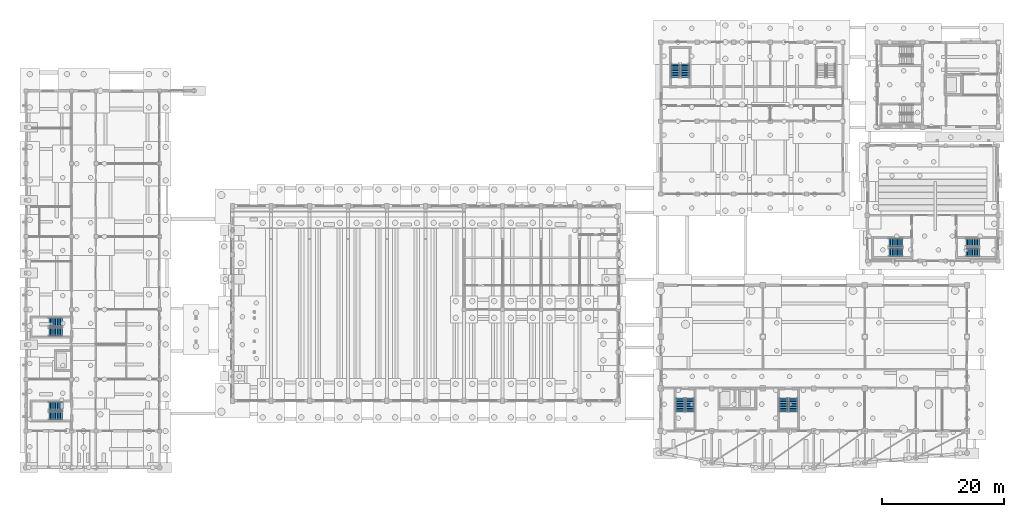
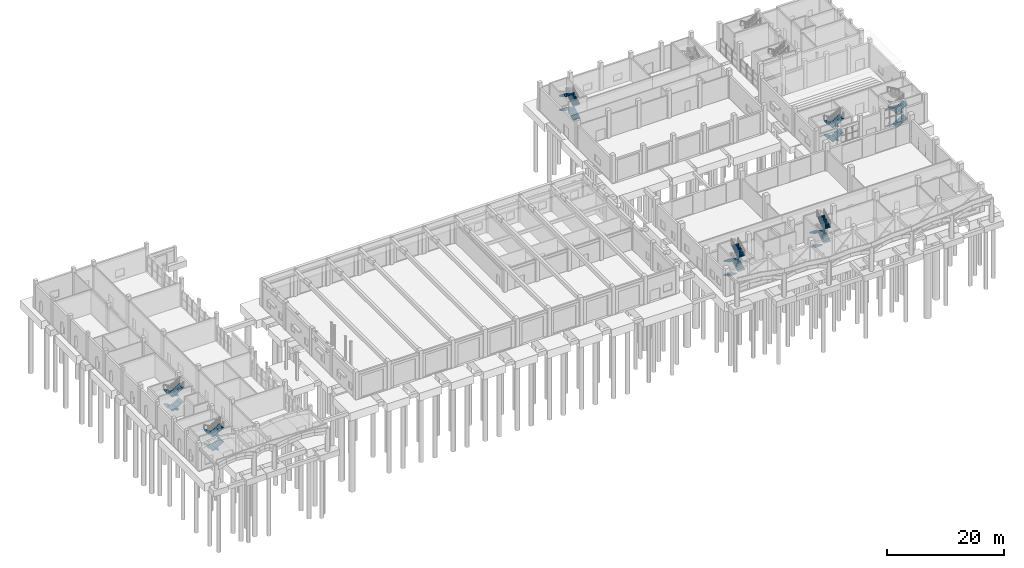
# One storey, part 45 of 60: 27 stair flights, 7 elements without a shape of their own.
"""IFC4 building model written with IfcOpenShell, lengths in metres."""

from ifc_helpers import new_model, si_unit, direction, frame, origin, place, context, subcontext, project, spatial, polyline, outline, extrude, material, type_object, element, aggregate, save


model = new_model("IFC4")

# Units and contexts
model_context = context("Model", 3, precision=1e-05, world=origin(), true_north=direction((0.0, 1.0)))
body_context = subcontext(model_context, "Body", "Model", "MODEL_VIEW")
ifc_project = project(units=[si_unit("LENGTHUNIT", "METRE"), si_unit("AREAUNIT", "SQUARE_METRE"), si_unit("VOLUMEUNIT", "CUBIC_METRE"), si_unit("PLANEANGLEUNIT", "RADIAN"), si_unit("MASSUNIT", "GRAM", prefix="KILO")], contexts=[model_context])

# Site, building, storey
site_placement = place(None, origin())
site = spatial("IfcSite", under=ifc_project, at=site_placement, CompositionType="ELEMENT")
building_placement = place(site_placement, origin())
building = spatial("IfcBuilding", under=site, at=building_placement, Name="Trellovar Central Fire Station", CompositionType="ELEMENT")
storey_placement = place(building_placement, origin())
storey = spatial("IfcBuildingStorey", under=building, at=storey_placement, Name="L01", CompositionType="ELEMENT", Elevation=0.0)

# Stair, stair flights
ifc_material_1 = material(Name="Concrete C40/50", Category="concrete")
stair_type = type_object("IfcStairType", Name="ST-R1625", PredefinedType="HALF_TURN_STAIR", material=ifc_material_1)
stair_1_placement = place(storey_placement, origin())
stair_1 = element("IfcStair", 1, at=stair_1_placement, inside=storey, type_object=stair_type, Name="L01 Protected exit stair ST-01", PredefinedType="HALF_TURN_STAIR")
ifc_material_2 = material(Name="Concrete C40/50", Category="concrete")
stair_flight_type = type_object("IfcStairFlightType", Name="STF-R1625", PredefinedType="STRAIGHT", material=ifc_material_2)
stair_flight_1_placement = place(storey_placement, frame((108.699951171875, 14.39990234375, 0.0), z_axis=(0.0, 0.0, 1.0), x_axis=(0.0, -1.0, 0.0)))
stair_flight_1 = element("IfcStairFlight", 2, at=stair_flight_1_placement, type_object=stair_flight_type, Name="ST-01 flight 1", NumberOfRisers=9, NumberOfTreads=8, PredefinedType="STRAIGHT", RiserHeight=0.1625, TreadLength=0.28, context=body_context, shape_type="SweptSolid", body=[
    extrude(outline(polyline([(0.0, 0.0), (0.0, 0.16259765625), (0.280029296875, 0.16259765625), (0.280029296875, 0.324951171875), (0.56005859375, 0.324951171875), (0.56005859375, 0.487548828125), (0.840087890625, 0.487548828125), (0.840087890625, 0.64990234375), (1.1201171875, 0.64990234375), (1.1201171875, 0.8125), (1.39990234375, 0.8125), (1.39990234375, 0.97509765625), (1.679931640625, 0.97509765625), (1.679931640625, 1.137451171875), (1.9599609375, 1.137451171875), (1.9599609375, 1.300048828125), (2.239990234375, 1.300048828125), (2.239990234375, 1.46240234375), (2.239990234375, 1.126708984375), (0.298583984375, 0.0), (0.0, 0.0)])), frame((0.0, 0.699951171875, 0.0), z_axis=(0.0, -1.0, 0.0), x_axis=(1.0, 0.0, 0.0)), (0.0, 0.0, 1.0), 1.39990234375),
])
stair_flight_2_placement = place(storey_placement, frame((110.300048828125, 12.159912109375, 1.46240234375), z_axis=(0.0, 0.0, 1.0), x_axis=(0.0, 1.0, 0.0)))
stair_flight_2 = element("IfcStairFlight", 3, at=stair_flight_2_placement, type_object=stair_flight_type, Name="ST-01 flight 2", NumberOfRisers=9, NumberOfTreads=8, PredefinedType="STRAIGHT", RiserHeight=0.1625, TreadLength=0.28, context=body_context, shape_type="SweptSolid", body=[
    extrude(outline(polyline([(0.0, 0.0), (0.0, 0.16259765625), (0.280029296875, 0.16259765625), (0.280029296875, 0.324951171875), (0.56005859375, 0.324951171875), (0.56005859375, 0.487548828125), (0.840087890625, 0.487548828125), (0.840087890625, 0.64990234375), (1.1201171875, 0.64990234375), (1.1201171875, 0.8125), (1.39990234375, 0.8125), (1.39990234375, 0.97509765625), (1.679931640625, 0.97509765625), (1.679931640625, 1.137451171875), (1.9599609375, 1.137451171875), (1.9599609375, 1.300048828125), (2.239990234375, 1.300048828125), (2.239990234375, 1.46240234375), (2.239990234375, 1.126708984375), (0.298583984375, 0.0), (0.0, 0.0)])), frame((0.0, 0.699951171875, 0.0), z_axis=(0.0, -1.0, 0.0), x_axis=(1.0, 0.0, 0.0)), (0.0, 0.0, 1.0), 1.39990234375),
])
stair_flight_3_placement = place(storey_placement, frame((108.699951171875, 14.39990234375, 2.925048828125), z_axis=(0.0, 0.0, 1.0), x_axis=(0.0, -1.0, 0.0)))
stair_flight_3 = element("IfcStairFlight", 4, at=stair_flight_3_placement, type_object=stair_flight_type, Name="ST-01 flight 3", NumberOfRisers=9, NumberOfTreads=8, PredefinedType="STRAIGHT", RiserHeight=0.1625, TreadLength=0.28, context=body_context, shape_type="SweptSolid", body=[
    extrude(outline(polyline([(0.0, 0.0), (0.0, 0.16259765625), (0.280029296875, 0.16259765625), (0.280029296875, 0.324951171875), (0.56005859375, 0.324951171875), (0.56005859375, 0.487548828125), (0.840087890625, 0.487548828125), (0.840087890625, 0.64990234375), (1.1201171875, 0.64990234375), (1.1201171875, 0.8125), (1.39990234375, 0.8125), (1.39990234375, 0.97509765625), (1.679931640625, 0.97509765625), (1.679931640625, 1.137451171875), (1.9599609375, 1.137451171875), (1.9599609375, 1.300048828125), (2.239990234375, 1.300048828125), (2.239990234375, 1.46240234375), (2.239990234375, 1.126708984375), (0.298583984375, 0.0), (0.0, 0.0)])), frame((0.0, 0.699951171875, 0.0), z_axis=(0.0, -1.0, 0.0), x_axis=(1.0, 0.0, 0.0)), (0.0, 0.0, 1.0), 1.39990234375),
])
stair_flight_4_placement = place(storey_placement, frame((110.300048828125, 12.159912109375, 4.387451171875), z_axis=(0.0, 0.0, 1.0), x_axis=(0.0, 1.0, 0.0)))
stair_flight_4 = element("IfcStairFlight", 5, at=stair_flight_4_placement, type_object=stair_flight_type, Name="ST-01 flight 4", NumberOfRisers=9, NumberOfTreads=8, PredefinedType="STRAIGHT", RiserHeight=0.1625, TreadLength=0.28, context=body_context, shape_type="SweptSolid", body=[
    extrude(outline(polyline([(0.0, 0.0), (0.0, 0.16259765625), (0.280029296875, 0.16259765625), (0.280029296875, 0.324951171875), (0.56005859375, 0.324951171875), (0.56005859375, 0.487548828125), (0.840087890625, 0.487548828125), (0.840087890625, 0.64990234375), (1.1201171875, 0.64990234375), (1.1201171875, 0.8125), (1.39990234375, 0.8125), (1.39990234375, 0.97509765625), (1.679931640625, 0.97509765625), (1.679931640625, 1.137451171875), (1.9599609375, 1.137451171875), (1.9599609375, 1.300048828125), (2.239990234375, 1.300048828125), (2.239990234375, 1.46240234375), (2.239990234375, 1.126708984375), (0.298583984375, 0.0), (0.0, 0.0)])), frame((0.0, 0.699951171875, 0.0), z_axis=(0.0, -1.0, 0.0), x_axis=(1.0, 0.0, 0.0)), (0.0, 0.0, 1.0), 1.39990234375),
])
aggregate(stair_1, [stair_flight_1, stair_flight_2, stair_flight_3, stair_flight_4])

stair_2_placement = place(storey_placement, origin())
stair_2 = element("IfcStair", 6, at=stair_2_placement, inside=storey, type_object=stair_type, Name="L01 Protected exit stair ST-02", PredefinedType="HALF_TURN_STAIR")
stair_flight_5_placement = place(storey_placement, frame((125.699951171875, 14.39990234375, 0.0), z_axis=(0.0, 0.0, 1.0), x_axis=(0.0, -1.0, 0.0)))
stair_flight_5 = element("IfcStairFlight", 7, at=stair_flight_5_placement, type_object=stair_flight_type, Name="ST-02 flight 1", NumberOfRisers=9, NumberOfTreads=8, PredefinedType="STRAIGHT", RiserHeight=0.1625, TreadLength=0.28, context=body_context, shape_type="SweptSolid", body=[
    extrude(outline(polyline([(0.0, 0.0), (0.0, 0.16259765625), (0.280029296875, 0.16259765625), (0.280029296875, 0.324951171875), (0.56005859375, 0.324951171875), (0.56005859375, 0.487548828125), (0.840087890625, 0.487548828125), (0.840087890625, 0.64990234375), (1.1201171875, 0.64990234375), (1.1201171875, 0.8125), (1.39990234375, 0.8125), (1.39990234375, 0.97509765625), (1.679931640625, 0.97509765625), (1.679931640625, 1.137451171875), (1.9599609375, 1.137451171875), (1.9599609375, 1.300048828125), (2.239990234375, 1.300048828125), (2.239990234375, 1.46240234375), (2.239990234375, 1.126708984375), (0.298583984375, 0.0), (0.0, 0.0)])), frame((0.0, 0.699951171875, 0.0), z_axis=(0.0, -1.0, 0.0), x_axis=(1.0, 0.0, 0.0)), (0.0, 0.0, 1.0), 1.39990234375),
])
stair_flight_6_placement = place(storey_placement, frame((127.300048828125, 12.159912109375, 1.46240234375), z_axis=(0.0, 0.0, 1.0), x_axis=(0.0, 1.0, 0.0)))
stair_flight_6 = element("IfcStairFlight", 8, at=stair_flight_6_placement, type_object=stair_flight_type, Name="ST-02 flight 2", NumberOfRisers=9, NumberOfTreads=8, PredefinedType="STRAIGHT", RiserHeight=0.1625, TreadLength=0.28, context=body_context, shape_type="SweptSolid", body=[
    extrude(outline(polyline([(0.0, 0.0), (0.0, 0.16259765625), (0.280029296875, 0.16259765625), (0.280029296875, 0.324951171875), (0.56005859375, 0.324951171875), (0.56005859375, 0.487548828125), (0.840087890625, 0.487548828125), (0.840087890625, 0.64990234375), (1.1201171875, 0.64990234375), (1.1201171875, 0.8125), (1.39990234375, 0.8125), (1.39990234375, 0.97509765625), (1.679931640625, 0.97509765625), (1.679931640625, 1.137451171875), (1.9599609375, 1.137451171875), (1.9599609375, 1.300048828125), (2.239990234375, 1.300048828125), (2.239990234375, 1.46240234375), (2.239990234375, 1.126708984375), (0.298583984375, 0.0), (0.0, 0.0)])), frame((0.0, 0.699951171875, 0.0), z_axis=(0.0, -1.0, 0.0), x_axis=(1.0, 0.0, 0.0)), (0.0, 0.0, 1.0), 1.39990234375),
])
stair_flight_7_placement = place(storey_placement, frame((125.699951171875, 14.39990234375, 2.925048828125), z_axis=(0.0, 0.0, 1.0), x_axis=(0.0, -1.0, 0.0)))
stair_flight_7 = element("IfcStairFlight", 9, at=stair_flight_7_placement, type_object=stair_flight_type, Name="ST-02 flight 3", NumberOfRisers=9, NumberOfTreads=8, PredefinedType="STRAIGHT", RiserHeight=0.1625, TreadLength=0.28, context=body_context, shape_type="SweptSolid", body=[
    extrude(outline(polyline([(0.0, 0.0), (0.0, 0.16259765625), (0.280029296875, 0.16259765625), (0.280029296875, 0.324951171875), (0.56005859375, 0.324951171875), (0.56005859375, 0.487548828125), (0.840087890625, 0.487548828125), (0.840087890625, 0.64990234375), (1.1201171875, 0.64990234375), (1.1201171875, 0.8125), (1.39990234375, 0.8125), (1.39990234375, 0.97509765625), (1.679931640625, 0.97509765625), (1.679931640625, 1.137451171875), (1.9599609375, 1.137451171875), (1.9599609375, 1.300048828125), (2.239990234375, 1.300048828125), (2.239990234375, 1.46240234375), (2.239990234375, 1.126708984375), (0.298583984375, 0.0), (0.0, 0.0)])), frame((0.0, 0.699951171875, 0.0), z_axis=(0.0, -1.0, 0.0), x_axis=(1.0, 0.0, 0.0)), (0.0, 0.0, 1.0), 1.39990234375),
])
stair_flight_8_placement = place(storey_placement, frame((127.300048828125, 12.159912109375, 4.387451171875), z_axis=(0.0, 0.0, 1.0), x_axis=(0.0, 1.0, 0.0)))
stair_flight_8 = element("IfcStairFlight", 10, at=stair_flight_8_placement, type_object=stair_flight_type, Name="ST-02 flight 4", NumberOfRisers=9, NumberOfTreads=8, PredefinedType="STRAIGHT", RiserHeight=0.1625, TreadLength=0.28, context=body_context, shape_type="SweptSolid", body=[
    extrude(outline(polyline([(0.0, 0.0), (0.0, 0.16259765625), (0.280029296875, 0.16259765625), (0.280029296875, 0.324951171875), (0.56005859375, 0.324951171875), (0.56005859375, 0.487548828125), (0.840087890625, 0.487548828125), (0.840087890625, 0.64990234375), (1.1201171875, 0.64990234375), (1.1201171875, 0.8125), (1.39990234375, 0.8125), (1.39990234375, 0.97509765625), (1.679931640625, 0.97509765625), (1.679931640625, 1.137451171875), (1.9599609375, 1.137451171875), (1.9599609375, 1.300048828125), (2.239990234375, 1.300048828125), (2.239990234375, 1.46240234375), (2.239990234375, 1.126708984375), (0.298583984375, 0.0), (0.0, 0.0)])), frame((0.0, 0.699951171875, 0.0), z_axis=(0.0, -1.0, 0.0), x_axis=(1.0, 0.0, 0.0)), (0.0, 0.0, 1.0), 1.39990234375),
])
aggregate(stair_2, [stair_flight_5, stair_flight_6, stair_flight_7, stair_flight_8])

stair_3_placement = place(storey_placement, origin())
stair_3 = element("IfcStair", 11, at=stair_3_placement, inside=storey, type_object=stair_type, Name="L01 Protected exit stair ST-03", PredefinedType="HALF_TURN_STAIR")
stair_flight_9_placement = place(storey_placement, frame((7.0, 13.10009765625, 0.0), z_axis=(0.0, 0.0, 1.0), x_axis=(-1.0, 0.0, 0.0)))
stair_flight_9 = element("IfcStairFlight", 12, at=stair_flight_9_placement, type_object=stair_flight_type, Name="ST-03 flight 1", NumberOfRisers=9, NumberOfTreads=8, PredefinedType="STRAIGHT", RiserHeight=0.1625, TreadLength=0.28, context=body_context, shape_type="SweptSolid", body=[
    extrude(outline(polyline([(0.0, 0.0), (0.0, 0.16259765625), (0.280029296875, 0.16259765625), (0.280029296875, 0.324951171875), (0.56005859375, 0.324951171875), (0.56005859375, 0.487548828125), (0.840087890625, 0.487548828125), (0.840087890625, 0.64990234375), (1.1201171875, 0.64990234375), (1.1201171875, 0.8125), (1.39990234375, 0.8125), (1.39990234375, 0.97509765625), (1.679931640625, 0.97509765625), (1.679931640625, 1.137451171875), (1.9599609375, 1.137451171875), (1.9599609375, 1.300048828125), (2.239990234375, 1.300048828125), (2.239990234375, 1.46240234375), (2.239990234375, 1.126708984375), (0.298583984375, 0.0), (0.0, 0.0)])), frame((0.0, 0.699951171875, 0.0), z_axis=(0.0, -1.0, 0.0), x_axis=(1.0, 0.0, 0.0)), (0.0, 0.0, 1.0), 1.39990234375),
])
stair_flight_10_placement = place(storey_placement, frame((4.760009765625, 11.5, 1.46240234375), z_axis=(0.0, 0.0, 1.0), x_axis=(1.0, 0.0, 0.0)))
stair_flight_10 = element("IfcStairFlight", 13, at=stair_flight_10_placement, type_object=stair_flight_type, Name="ST-03 flight 2", NumberOfRisers=9, NumberOfTreads=8, PredefinedType="STRAIGHT", RiserHeight=0.1625, TreadLength=0.28, context=body_context, shape_type="SweptSolid", body=[
    extrude(outline(polyline([(0.0, 0.0), (0.0, 0.16259765625), (0.280029296875, 0.16259765625), (0.280029296875, 0.324951171875), (0.56005859375, 0.324951171875), (0.56005859375, 0.487548828125), (0.840087890625, 0.487548828125), (0.840087890625, 0.64990234375), (1.1201171875, 0.64990234375), (1.1201171875, 0.8125), (1.39990234375, 0.8125), (1.39990234375, 0.97509765625), (1.679931640625, 0.97509765625), (1.679931640625, 1.137451171875), (1.9599609375, 1.137451171875), (1.9599609375, 1.300048828125), (2.239990234375, 1.300048828125), (2.239990234375, 1.46240234375), (2.239990234375, 1.126708984375), (0.298583984375, 0.0), (0.0, 0.0)])), frame((0.0, 0.699951171875, 0.0), z_axis=(0.0, -1.0, 0.0), x_axis=(1.0, 0.0, 0.0)), (0.0, 0.0, 1.0), 1.39990234375),
])
stair_flight_11_placement = place(storey_placement, frame((7.0, 13.10009765625, 2.925048828125), z_axis=(0.0, 0.0, 1.0), x_axis=(-1.0, 0.0, 0.0)))
stair_flight_11 = element("IfcStairFlight", 14, at=stair_flight_11_placement, type_object=stair_flight_type, Name="ST-03 flight 3", NumberOfRisers=9, NumberOfTreads=8, PredefinedType="STRAIGHT", RiserHeight=0.1625, TreadLength=0.28, context=body_context, shape_type="SweptSolid", body=[
    extrude(outline(polyline([(0.0, 0.0), (0.0, 0.16259765625), (0.280029296875, 0.16259765625), (0.280029296875, 0.324951171875), (0.56005859375, 0.324951171875), (0.56005859375, 0.487548828125), (0.840087890625, 0.487548828125), (0.840087890625, 0.64990234375), (1.1201171875, 0.64990234375), (1.1201171875, 0.8125), (1.39990234375, 0.8125), (1.39990234375, 0.97509765625), (1.679931640625, 0.97509765625), (1.679931640625, 1.137451171875), (1.9599609375, 1.137451171875), (1.9599609375, 1.300048828125), (2.239990234375, 1.300048828125), (2.239990234375, 1.46240234375), (2.239990234375, 1.126708984375), (0.298583984375, 0.0), (0.0, 0.0)])), frame((0.0, 0.699951171875, 0.0), z_axis=(0.0, -1.0, 0.0), x_axis=(1.0, 0.0, 0.0)), (0.0, 0.0, 1.0), 1.39990234375),
])
stair_flight_12_placement = place(storey_placement, frame((4.760009765625, 11.5, 4.387451171875), z_axis=(0.0, 0.0, 1.0), x_axis=(1.0, 0.0, 0.0)))
stair_flight_12 = element("IfcStairFlight", 15, at=stair_flight_12_placement, type_object=stair_flight_type, Name="ST-03 flight 4", NumberOfRisers=9, NumberOfTreads=8, PredefinedType="STRAIGHT", RiserHeight=0.1625, TreadLength=0.28, context=body_context, shape_type="SweptSolid", body=[
    extrude(outline(polyline([(0.0, 0.0), (0.0, 0.16259765625), (0.280029296875, 0.16259765625), (0.280029296875, 0.324951171875), (0.56005859375, 0.324951171875), (0.56005859375, 0.487548828125), (0.840087890625, 0.487548828125), (0.840087890625, 0.64990234375), (1.1201171875, 0.64990234375), (1.1201171875, 0.8125), (1.39990234375, 0.8125), (1.39990234375, 0.97509765625), (1.679931640625, 0.97509765625), (1.679931640625, 1.137451171875), (1.9599609375, 1.137451171875), (1.9599609375, 1.300048828125), (2.239990234375, 1.300048828125), (2.239990234375, 1.46240234375), (2.239990234375, 1.126708984375), (0.298583984375, 0.0), (0.0, 0.0)])), frame((0.0, 0.699951171875, 0.0), z_axis=(0.0, -1.0, 0.0), x_axis=(1.0, 0.0, 0.0)), (0.0, 0.0, 1.0), 1.39990234375),
])
aggregate(stair_3, [stair_flight_9, stair_flight_10, stair_flight_11, stair_flight_12])

stair_4_placement = place(storey_placement, origin())
stair_4 = element("IfcStair", 16, at=stair_4_placement, inside=storey, type_object=stair_type, Name="L01 Protected exit stair ST-04", PredefinedType="HALF_TURN_STAIR")
stair_flight_13_placement = place(storey_placement, frame((7.0, 26.89990234375, 0.0), z_axis=(0.0, 0.0, 1.0), x_axis=(-1.0, 0.0, 0.0)))
stair_flight_13 = element("IfcStairFlight", 17, at=stair_flight_13_placement, type_object=stair_flight_type, Name="ST-04 flight 1", NumberOfRisers=9, NumberOfTreads=8, PredefinedType="STRAIGHT", RiserHeight=0.1625, TreadLength=0.28, context=body_context, shape_type="SweptSolid", body=[
    extrude(outline(polyline([(0.0, 0.0), (0.0, 0.16259765625), (0.280029296875, 0.16259765625), (0.280029296875, 0.324951171875), (0.56005859375, 0.324951171875), (0.56005859375, 0.487548828125), (0.840087890625, 0.487548828125), (0.840087890625, 0.64990234375), (1.1201171875, 0.64990234375), (1.1201171875, 0.8125), (1.39990234375, 0.8125), (1.39990234375, 0.97509765625), (1.679931640625, 0.97509765625), (1.679931640625, 1.137451171875), (1.9599609375, 1.137451171875), (1.9599609375, 1.300048828125), (2.239990234375, 1.300048828125), (2.239990234375, 1.46240234375), (2.239990234375, 1.126708984375), (0.298583984375, 0.0), (0.0, 0.0)])), frame((0.0, 0.699951171875, 0.0), z_axis=(0.0, -1.0, 0.0), x_axis=(1.0, 0.0, 0.0)), (0.0, 0.0, 1.0), 1.39990234375),
])
stair_flight_14_placement = place(storey_placement, frame((4.760009765625, 25.300048828125, 1.46240234375), z_axis=(0.0, 0.0, 1.0), x_axis=(1.0, 0.0, 0.0)))
stair_flight_14 = element("IfcStairFlight", 18, at=stair_flight_14_placement, type_object=stair_flight_type, Name="ST-04 flight 2", NumberOfRisers=9, NumberOfTreads=8, PredefinedType="STRAIGHT", RiserHeight=0.1625, TreadLength=0.28, context=body_context, shape_type="SweptSolid", body=[
    extrude(outline(polyline([(0.0, 0.0), (0.0, 0.16259765625), (0.280029296875, 0.16259765625), (0.280029296875, 0.324951171875), (0.56005859375, 0.324951171875), (0.56005859375, 0.487548828125), (0.840087890625, 0.487548828125), (0.840087890625, 0.64990234375), (1.1201171875, 0.64990234375), (1.1201171875, 0.8125), (1.39990234375, 0.8125), (1.39990234375, 0.97509765625), (1.679931640625, 0.97509765625), (1.679931640625, 1.137451171875), (1.9599609375, 1.137451171875), (1.9599609375, 1.300048828125), (2.239990234375, 1.300048828125), (2.239990234375, 1.46240234375), (2.239990234375, 1.126708984375), (0.298583984375, 0.0), (0.0, 0.0)])), frame((0.0, 0.699951171875, 0.0), z_axis=(0.0, -1.0, 0.0), x_axis=(1.0, 0.0, 0.0)), (0.0, 0.0, 1.0), 1.39990234375),
])
stair_flight_15_placement = place(storey_placement, frame((7.0, 26.89990234375, 2.925048828125), z_axis=(0.0, 0.0, 1.0), x_axis=(-1.0, 0.0, 0.0)))
stair_flight_15 = element("IfcStairFlight", 19, at=stair_flight_15_placement, type_object=stair_flight_type, Name="ST-04 flight 3", NumberOfRisers=9, NumberOfTreads=8, PredefinedType="STRAIGHT", RiserHeight=0.1625, TreadLength=0.28, context=body_context, shape_type="SweptSolid", body=[
    extrude(outline(polyline([(0.0, 0.0), (0.0, 0.16259765625), (0.280029296875, 0.16259765625), (0.280029296875, 0.324951171875), (0.56005859375, 0.324951171875), (0.56005859375, 0.487548828125), (0.840087890625, 0.487548828125), (0.840087890625, 0.64990234375), (1.1201171875, 0.64990234375), (1.1201171875, 0.8125), (1.39990234375, 0.8125), (1.39990234375, 0.97509765625), (1.679931640625, 0.97509765625), (1.679931640625, 1.137451171875), (1.9599609375, 1.137451171875), (1.9599609375, 1.300048828125), (2.239990234375, 1.300048828125), (2.239990234375, 1.46240234375), (2.239990234375, 1.126708984375), (0.298583984375, 0.0), (0.0, 0.0)])), frame((0.0, 0.699951171875, 0.0), z_axis=(0.0, -1.0, 0.0), x_axis=(1.0, 0.0, 0.0)), (0.0, 0.0, 1.0), 1.39990234375),
])
stair_flight_16_placement = place(storey_placement, frame((4.760009765625, 25.300048828125, 4.387451171875), z_axis=(0.0, 0.0, 1.0), x_axis=(1.0, 0.0, 0.0)))
stair_flight_16 = element("IfcStairFlight", 20, at=stair_flight_16_placement, type_object=stair_flight_type, Name="ST-04 flight 4", NumberOfRisers=9, NumberOfTreads=8, PredefinedType="STRAIGHT", RiserHeight=0.1625, TreadLength=0.28, context=body_context, shape_type="SweptSolid", body=[
    extrude(outline(polyline([(0.0, 0.0), (0.0, 0.16259765625), (0.280029296875, 0.16259765625), (0.280029296875, 0.324951171875), (0.56005859375, 0.324951171875), (0.56005859375, 0.487548828125), (0.840087890625, 0.487548828125), (0.840087890625, 0.64990234375), (1.1201171875, 0.64990234375), (1.1201171875, 0.8125), (1.39990234375, 0.8125), (1.39990234375, 0.97509765625), (1.679931640625, 0.97509765625), (1.679931640625, 1.137451171875), (1.9599609375, 1.137451171875), (1.9599609375, 1.300048828125), (2.239990234375, 1.300048828125), (2.239990234375, 1.46240234375), (2.239990234375, 1.126708984375), (0.298583984375, 0.0), (0.0, 0.0)])), frame((0.0, 0.699951171875, 0.0), z_axis=(0.0, -1.0, 0.0), x_axis=(1.0, 0.0, 0.0)), (0.0, 0.0, 1.0), 1.39990234375),
])
aggregate(stair_4, [stair_flight_13, stair_flight_14, stair_flight_15, stair_flight_16])

stair_5_placement = place(storey_placement, origin())
stair_5 = element("IfcStair", 21, at=stair_5_placement, inside=storey, type_object=stair_type, Name="L01 Protected exit stair ST-07", PredefinedType="HALF_TURN_STAIR")
stair_flight_17_placement = place(storey_placement, frame((109.5, 67.199951171875, 0.0), z_axis=(0.0, 0.0, 1.0), x_axis=(0.0, 1.0, 0.0)))
stair_flight_17 = element("IfcStairFlight", 22, at=stair_flight_17_placement, type_object=stair_flight_type, Name="ST-07 flight 1", NumberOfRisers=9, NumberOfTreads=8, PredefinedType="STRAIGHT", RiserHeight=0.1625, TreadLength=0.28, context=body_context, shape_type="SweptSolid", body=[
    extrude(outline(polyline([(0.0, 0.0), (0.0, 0.16259765625), (0.280029296875, 0.16259765625), (0.280029296875, 0.324951171875), (0.56005859375, 0.324951171875), (0.56005859375, 0.487548828125), (0.840087890625, 0.487548828125), (0.840087890625, 0.64990234375), (1.1201171875, 0.64990234375), (1.1201171875, 0.8125), (1.39990234375, 0.8125), (1.39990234375, 0.97509765625), (1.679931640625, 0.97509765625), (1.679931640625, 1.137451171875), (1.9599609375, 1.137451171875), (1.9599609375, 1.300048828125), (2.239990234375, 1.300048828125), (2.239990234375, 1.46240234375), (2.239990234375, 1.126708984375), (0.298583984375, 0.0), (0.0, 0.0)])), frame((0.0, 0.699951171875, 0.0), z_axis=(0.0, -1.0, 0.0), x_axis=(1.0, 0.0, 0.0)), (0.0, 0.0, 1.0), 1.39990234375),
])
stair_flight_18_placement = place(storey_placement, frame((107.89990234375, 69.43994140625, 1.46240234375), z_axis=(0.0, 0.0, 1.0), x_axis=(0.0, -1.0, 0.0)))
stair_flight_18 = element("IfcStairFlight", 23, at=stair_flight_18_placement, type_object=stair_flight_type, Name="ST-07 flight 2", NumberOfRisers=9, NumberOfTreads=8, PredefinedType="STRAIGHT", RiserHeight=0.1625, TreadLength=0.28, context=body_context, shape_type="SweptSolid", body=[
    extrude(outline(polyline([(0.0, 0.0), (0.0, 0.16259765625), (0.280029296875, 0.16259765625), (0.280029296875, 0.324951171875), (0.56005859375, 0.324951171875), (0.56005859375, 0.487548828125), (0.840087890625, 0.487548828125), (0.840087890625, 0.64990234375), (1.1201171875, 0.64990234375), (1.1201171875, 0.8125), (1.39990234375, 0.8125), (1.39990234375, 0.97509765625), (1.679931640625, 0.97509765625), (1.679931640625, 1.137451171875), (1.9599609375, 1.137451171875), (1.9599609375, 1.300048828125), (2.239990234375, 1.300048828125), (2.239990234375, 1.46240234375), (2.239990234375, 1.126708984375), (0.298583984375, 0.0), (0.0, 0.0)])), frame((0.0, 0.699951171875, 0.0), z_axis=(0.0, -1.0, 0.0), x_axis=(1.0, 0.0, 0.0)), (0.0, 0.0, 1.0), 1.39990234375),
])
stair_flight_19_placement = place(storey_placement, frame((109.5, 67.199951171875, 2.925048828125), z_axis=(0.0, 0.0, 1.0), x_axis=(0.0, 1.0, 0.0)))
stair_flight_19 = element("IfcStairFlight", 24, at=stair_flight_19_placement, type_object=stair_flight_type, Name="ST-07 flight 3", NumberOfRisers=9, NumberOfTreads=8, PredefinedType="STRAIGHT", RiserHeight=0.1625, TreadLength=0.28, context=body_context, shape_type="SweptSolid", body=[
    extrude(outline(polyline([(0.0, 0.0), (0.0, 0.16259765625), (0.280029296875, 0.16259765625), (0.280029296875, 0.324951171875), (0.56005859375, 0.324951171875), (0.56005859375, 0.487548828125), (0.840087890625, 0.487548828125), (0.840087890625, 0.64990234375), (1.1201171875, 0.64990234375), (1.1201171875, 0.8125), (1.39990234375, 0.8125), (1.39990234375, 0.97509765625), (1.679931640625, 0.97509765625), (1.679931640625, 1.137451171875), (1.9599609375, 1.137451171875), (1.9599609375, 1.300048828125), (2.239990234375, 1.300048828125), (2.239990234375, 1.46240234375), (2.239990234375, 1.126708984375), (0.298583984375, 0.0), (0.0, 0.0)])), frame((0.0, 0.699951171875, 0.0), z_axis=(0.0, -1.0, 0.0), x_axis=(1.0, 0.0, 0.0)), (0.0, 0.0, 1.0), 1.39990234375),
])
stair_flight_20_placement = place(storey_placement, frame((107.89990234375, 69.43994140625, 4.387451171875), z_axis=(0.0, 0.0, 1.0), x_axis=(0.0, -1.0, 0.0)))
stair_flight_20 = element("IfcStairFlight", 25, at=stair_flight_20_placement, type_object=stair_flight_type, Name="ST-07 flight 4", NumberOfRisers=9, NumberOfTreads=8, PredefinedType="STRAIGHT", RiserHeight=0.1625, TreadLength=0.28, context=body_context, shape_type="SweptSolid", body=[
    extrude(outline(polyline([(0.0, 0.0), (0.0, 0.16259765625), (0.280029296875, 0.16259765625), (0.280029296875, 0.324951171875), (0.56005859375, 0.324951171875), (0.56005859375, 0.487548828125), (0.840087890625, 0.487548828125), (0.840087890625, 0.64990234375), (1.1201171875, 0.64990234375), (1.1201171875, 0.8125), (1.39990234375, 0.8125), (1.39990234375, 0.97509765625), (1.679931640625, 0.97509765625), (1.679931640625, 1.137451171875), (1.9599609375, 1.137451171875), (1.9599609375, 1.300048828125), (2.239990234375, 1.300048828125), (2.239990234375, 1.46240234375), (2.239990234375, 1.126708984375), (0.298583984375, 0.0), (0.0, 0.0)])), frame((0.0, 0.699951171875, 0.0), z_axis=(0.0, -1.0, 0.0), x_axis=(1.0, 0.0, 0.0)), (0.0, 0.0, 1.0), 1.39990234375),
])
aggregate(stair_5, [stair_flight_17, stair_flight_18, stair_flight_19, stair_flight_20])

stair_6_placement = place(storey_placement, origin())
stair_6 = element("IfcStair", 26, at=stair_6_placement, inside=storey, type_object=stair_type, Name="L01 Protected exit stair ST-09", PredefinedType="HALF_TURN_STAIR")
stair_flight_21_placement = place(storey_placement, frame((145.300048828125, 40.0, 0.0), z_axis=(0.0, 0.0, 1.0), x_axis=(-1.0, 0.0, 0.0)))
stair_flight_21 = element("IfcStairFlight", 27, at=stair_flight_21_placement, type_object=stair_flight_type, Name="ST-09 flight 1", NumberOfRisers=9, NumberOfTreads=8, PredefinedType="STRAIGHT", RiserHeight=0.1625, TreadLength=0.28, context=body_context, shape_type="SweptSolid", body=[
    extrude(outline(polyline([(0.0, 0.0), (0.0, 0.16259765625), (0.280029296875, 0.16259765625), (0.280029296875, 0.324951171875), (0.56005859375, 0.324951171875), (0.56005859375, 0.487548828125), (0.840087890625, 0.487548828125), (0.840087890625, 0.64990234375), (1.1201171875, 0.64990234375), (1.1201171875, 0.8125), (1.39990234375, 0.8125), (1.39990234375, 0.97509765625), (1.679931640625, 0.97509765625), (1.679931640625, 1.137451171875), (1.9599609375, 1.137451171875), (1.9599609375, 1.300048828125), (2.239990234375, 1.300048828125), (2.239990234375, 1.46240234375), (2.239990234375, 1.126708984375), (0.298583984375, 0.0), (0.0, 0.0)])), frame((0.0, 0.699951171875, 0.0), z_axis=(0.0, -1.0, 0.0), x_axis=(1.0, 0.0, 0.0)), (0.0, 0.0, 1.0), 1.39990234375),
])
stair_flight_22_placement = place(storey_placement, frame((143.06005859375, 38.39990234375, 1.46240234375), z_axis=(0.0, 0.0, 1.0), x_axis=(1.0, 0.0, 0.0)))
stair_flight_22 = element("IfcStairFlight", 28, at=stair_flight_22_placement, type_object=stair_flight_type, Name="ST-09 flight 2", NumberOfRisers=9, NumberOfTreads=8, PredefinedType="STRAIGHT", RiserHeight=0.1625, TreadLength=0.28, context=body_context, shape_type="SweptSolid", body=[
    extrude(outline(polyline([(0.0, 0.0), (0.0, 0.16259765625), (0.280029296875, 0.16259765625), (0.280029296875, 0.324951171875), (0.56005859375, 0.324951171875), (0.56005859375, 0.487548828125), (0.840087890625, 0.487548828125), (0.840087890625, 0.64990234375), (1.1201171875, 0.64990234375), (1.1201171875, 0.8125), (1.39990234375, 0.8125), (1.39990234375, 0.97509765625), (1.679931640625, 0.97509765625), (1.679931640625, 1.137451171875), (1.9599609375, 1.137451171875), (1.9599609375, 1.300048828125), (2.239990234375, 1.300048828125), (2.239990234375, 1.46240234375), (2.239990234375, 1.126708984375), (0.298583984375, 0.0), (0.0, 0.0)])), frame((0.0, 0.699951171875, 0.0), z_axis=(0.0, -1.0, 0.0), x_axis=(1.0, 0.0, 0.0)), (0.0, 0.0, 1.0), 1.39990234375),
])
stair_flight_23_placement = place(storey_placement, frame((145.300048828125, 40.0, 2.925048828125), z_axis=(0.0, 0.0, 1.0), x_axis=(-1.0, 0.0, 0.0)))
stair_flight_23 = element("IfcStairFlight", 29, at=stair_flight_23_placement, type_object=stair_flight_type, Name="ST-09 flight 3", NumberOfRisers=9, NumberOfTreads=8, PredefinedType="STRAIGHT", RiserHeight=0.1625, TreadLength=0.28, context=body_context, shape_type="SweptSolid", body=[
    extrude(outline(polyline([(0.0, 0.0), (0.0, 0.16259765625), (0.280029296875, 0.16259765625), (0.280029296875, 0.324951171875), (0.56005859375, 0.324951171875), (0.56005859375, 0.487548828125), (0.840087890625, 0.487548828125), (0.840087890625, 0.64990234375), (1.1201171875, 0.64990234375), (1.1201171875, 0.8125), (1.39990234375, 0.8125), (1.39990234375, 0.97509765625), (1.679931640625, 0.97509765625), (1.679931640625, 1.137451171875), (1.9599609375, 1.137451171875), (1.9599609375, 1.300048828125), (2.239990234375, 1.300048828125), (2.239990234375, 1.46240234375), (2.239990234375, 1.126708984375), (0.298583984375, 0.0), (0.0, 0.0)])), frame((0.0, 0.699951171875, 0.0), z_axis=(0.0, -1.0, 0.0), x_axis=(1.0, 0.0, 0.0)), (0.0, 0.0, 1.0), 1.39990234375),
])
stair_flight_24_placement = place(storey_placement, frame((143.06005859375, 38.39990234375, 4.387451171875), z_axis=(0.0, 0.0, 1.0), x_axis=(1.0, 0.0, 0.0)))
stair_flight_24 = element("IfcStairFlight", 30, at=stair_flight_24_placement, type_object=stair_flight_type, Name="ST-09 flight 4", NumberOfRisers=9, NumberOfTreads=8, PredefinedType="STRAIGHT", RiserHeight=0.1625, TreadLength=0.28, context=body_context, shape_type="SweptSolid", body=[
    extrude(outline(polyline([(0.0, 0.0), (0.0, 0.16259765625), (0.280029296875, 0.16259765625), (0.280029296875, 0.324951171875), (0.56005859375, 0.324951171875), (0.56005859375, 0.487548828125), (0.840087890625, 0.487548828125), (0.840087890625, 0.64990234375), (1.1201171875, 0.64990234375), (1.1201171875, 0.8125), (1.39990234375, 0.8125), (1.39990234375, 0.97509765625), (1.679931640625, 0.97509765625), (1.679931640625, 1.137451171875), (1.9599609375, 1.137451171875), (1.9599609375, 1.300048828125), (2.239990234375, 1.300048828125), (2.239990234375, 1.46240234375), (2.239990234375, 1.126708984375), (0.298583984375, 0.0), (0.0, 0.0)])), frame((0.0, 0.699951171875, 0.0), z_axis=(0.0, -1.0, 0.0), x_axis=(1.0, 0.0, 0.0)), (0.0, 0.0, 1.0), 1.39990234375),
])
aggregate(stair_6, [stair_flight_21, stair_flight_22, stair_flight_23, stair_flight_24])

stair_7_placement = place(storey_placement, origin())
stair_7 = element("IfcStair", 31, at=stair_7_placement, inside=storey, type_object=stair_type, Name="L01 Protected exit stair ST-10", PredefinedType="HALF_TURN_STAIR")
stair_flight_25_placement = place(storey_placement, frame((155.699951171875, 38.39990234375, 0.0), z_axis=(0.0, 0.0, 1.0), x_axis=(1.0, 0.0, 0.0)))
stair_flight_25 = element("IfcStairFlight", 32, at=stair_flight_25_placement, type_object=stair_flight_type, Name="ST-10 flight 1", NumberOfRisers=9, NumberOfTreads=8, PredefinedType="STRAIGHT", RiserHeight=0.1625, TreadLength=0.28, context=body_context, shape_type="SweptSolid", body=[
    extrude(outline(polyline([(0.0, 0.0), (0.0, 0.16259765625), (0.280029296875, 0.16259765625), (0.280029296875, 0.324951171875), (0.56005859375, 0.324951171875), (0.56005859375, 0.487548828125), (0.840087890625, 0.487548828125), (0.840087890625, 0.64990234375), (1.1201171875, 0.64990234375), (1.1201171875, 0.8125), (1.39990234375, 0.8125), (1.39990234375, 0.97509765625), (1.679931640625, 0.97509765625), (1.679931640625, 1.137451171875), (1.9599609375, 1.137451171875), (1.9599609375, 1.300048828125), (2.239990234375, 1.300048828125), (2.239990234375, 1.46240234375), (2.239990234375, 1.126708984375), (0.298583984375, 0.0), (0.0, 0.0)])), frame((0.0, 0.699951171875, 0.0), z_axis=(0.0, -1.0, 0.0), x_axis=(1.0, 0.0, 0.0)), (0.0, 0.0, 1.0), 1.39990234375),
])
stair_flight_26_placement = place(storey_placement, frame((157.93994140625, 40.0, 1.46240234375), z_axis=(0.0, 0.0, 1.0), x_axis=(-1.0, 0.0, 0.0)))
stair_flight_26 = element("IfcStairFlight", 33, at=stair_flight_26_placement, type_object=stair_flight_type, Name="ST-10 flight 2", NumberOfRisers=9, NumberOfTreads=8, PredefinedType="STRAIGHT", RiserHeight=0.1625, TreadLength=0.28, context=body_context, shape_type="SweptSolid", body=[
    extrude(outline(polyline([(0.0, 0.0), (0.0, 0.16259765625), (0.280029296875, 0.16259765625), (0.280029296875, 0.324951171875), (0.56005859375, 0.324951171875), (0.56005859375, 0.487548828125), (0.840087890625, 0.487548828125), (0.840087890625, 0.64990234375), (1.1201171875, 0.64990234375), (1.1201171875, 0.8125), (1.39990234375, 0.8125), (1.39990234375, 0.97509765625), (1.679931640625, 0.97509765625), (1.679931640625, 1.137451171875), (1.9599609375, 1.137451171875), (1.9599609375, 1.300048828125), (2.239990234375, 1.300048828125), (2.239990234375, 1.46240234375), (2.239990234375, 1.126708984375), (0.298583984375, 0.0), (0.0, 0.0)])), frame((0.0, 0.699951171875, 0.0), z_axis=(0.0, -1.0, 0.0), x_axis=(1.0, 0.0, 0.0)), (0.0, 0.0, 1.0), 1.39990234375),
])
stair_flight_27_placement = place(storey_placement, frame((155.699951171875, 38.39990234375, 2.925048828125), z_axis=(0.0, 0.0, 1.0), x_axis=(1.0, 0.0, 0.0)))
stair_flight_27 = element("IfcStairFlight", 34, at=stair_flight_27_placement, type_object=stair_flight_type, Name="ST-10 flight 3", NumberOfRisers=9, NumberOfTreads=8, PredefinedType="STRAIGHT", RiserHeight=0.1625, TreadLength=0.28, context=body_context, shape_type="SweptSolid", body=[
    extrude(outline(polyline([(0.0, 0.0), (0.0, 0.16259765625), (0.280029296875, 0.16259765625), (0.280029296875, 0.324951171875), (0.56005859375, 0.324951171875), (0.56005859375, 0.487548828125), (0.840087890625, 0.487548828125), (0.840087890625, 0.64990234375), (1.1201171875, 0.64990234375), (1.1201171875, 0.8125), (1.39990234375, 0.8125), (1.39990234375, 0.97509765625), (1.679931640625, 0.97509765625), (1.679931640625, 1.137451171875), (1.9599609375, 1.137451171875), (1.9599609375, 1.300048828125), (2.239990234375, 1.300048828125), (2.239990234375, 1.46240234375), (2.239990234375, 1.126708984375), (0.298583984375, 0.0), (0.0, 0.0)])), frame((0.0, 0.699951171875, 0.0), z_axis=(0.0, -1.0, 0.0), x_axis=(1.0, 0.0, 0.0)), (0.0, 0.0, 1.0), 1.39990234375),
])
aggregate(stair_7, [stair_flight_25, stair_flight_26, stair_flight_27])

save(model, "model.ifc")
